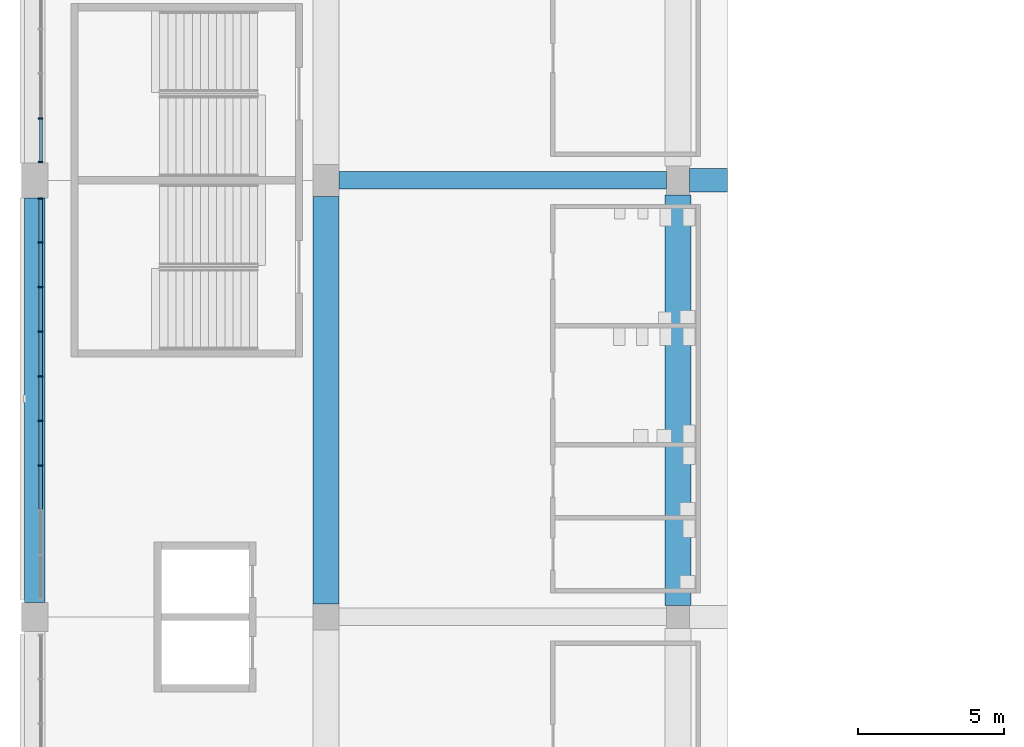
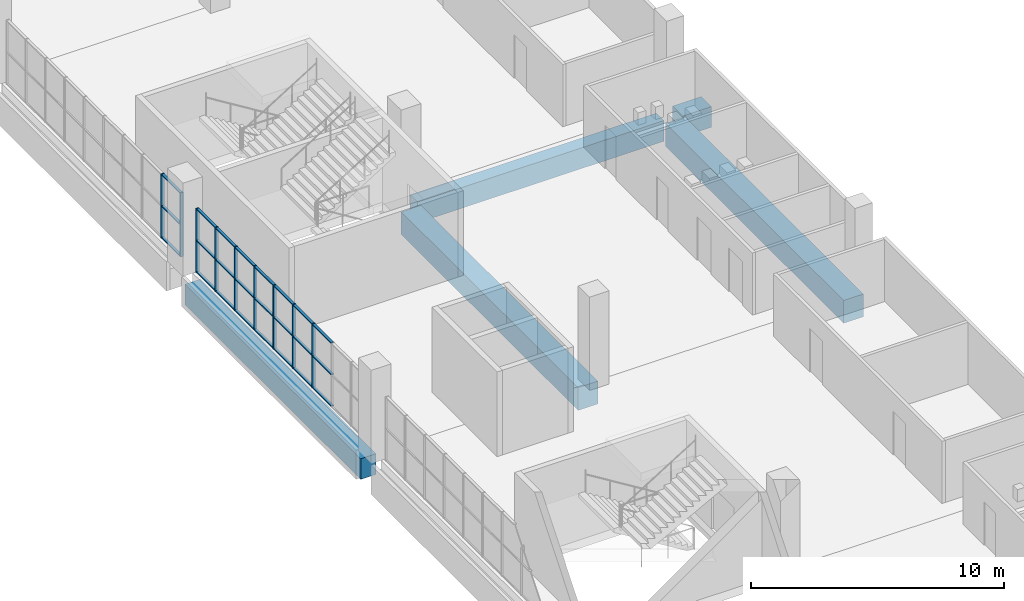
# One storey, part 20 of 199: 33 members, 5 beams, 2 elements without a shape of their own.
"""IFC4 building model written with IfcOpenShell, lengths in metres."""

from ifc_helpers import new_model, si_unit, direction, frame, origin, origin_2d, place, context, subcontext, project, spatial, rectangle, extrude, material, material_profile, profile_set, type_object, element, aggregate, save


model = new_model("IFC4")

# Units and contexts
model_context = context("Model", 3, precision=1e-05, world=origin(), true_north=direction((0.0, 1.0)))
body_context = subcontext(model_context, "Body", "Model", "MODEL_VIEW")
ifc_project = project(units=[si_unit("LENGTHUNIT", "METRE"), si_unit("AREAUNIT", "SQUARE_METRE"), si_unit("VOLUMEUNIT", "CUBIC_METRE"), si_unit("PLANEANGLEUNIT", "RADIAN"), si_unit("MASSUNIT", "GRAM", prefix="KILO")], contexts=[model_context])

# Site, building, storey
site_placement = place(None, origin())
site = spatial("IfcSite", under=ifc_project, at=site_placement, CompositionType="ELEMENT")
building_placement = place(site_placement, origin())
building = spatial("IfcBuilding", under=site, at=building_placement, Name="Ogive Plaza Stadium", CompositionType="ELEMENT")
storey_placement = place(building_placement, frame((0.0, 0.0, 4.5)))
storey = spatial("IfcBuildingStorey", under=building, at=storey_placement, Name="L01", CompositionType="ELEMENT", Elevation=4.5)

# Curtain wall, members
ifc_material_1 = material(Name="Bronze-anodised aluminium with laminated glass", Category="aluminium")
curtain_wall_type = type_object("IfcCurtainWallType", Name="Lancet curtain wall", PredefinedType="NOTDEFINED", material=ifc_material_1)
curtain_wall_1_placement = place(storey_placement, origin())
curtain_wall_1 = element("IfcCurtainWall", 1, at=curtain_wall_1_placement, inside=storey, type_object=curtain_wall_type, Name="CURTAIN WALL B25 L01", PredefinedType="NOTDEFINED")
ifc_material_2 = material(Name="Bronze-anodised aluminium", Category="aluminium")
ifc_material_profile_1 = material_profile(ifc_material_2, rectangle(XDim=0.14990234375, YDim=0.050048828125, at=origin_2d()), Name="AL 150x50")
ifc_profile_set_1 = profile_set([ifc_material_profile_1], Name="Bronze-anodised aluminium")
member_type_1 = type_object("IfcMemberType", Name="Curtain wall mullion 50x150", PredefinedType="MULLION", material=ifc_profile_set_1)
member_1_placement = place(storey_placement, frame((-83.800048828125, 12.699951171875, 0.0), z_axis=(0.0, 0.0, 1.0), x_axis=(-1.0, 0.0, 0.0)))
member_1 = element("IfcMember", 2, at=member_1_placement, type_object=member_type_1, Name="CW-B25-L01 mullion 4", PredefinedType="MULLION", context=body_context, shape_type="SweptSolid", body=[
    extrude(rectangle(XDim=0.14990234375, YDim=0.050048828125, at=origin_2d()), origin(), (0.0, 0.0, 1.0), 3.090087890625),
])
member_2_placement = place(storey_placement, frame((-83.800048828125, 14.2333984375, 0.0), z_axis=(0.0, 0.0, 1.0), x_axis=(-1.0, 0.0, 0.0)))
member_2 = element("IfcMember", 3, at=member_2_placement, type_object=member_type_1, Name="CW-B25-L01 mullion 5", PredefinedType="MULLION", context=body_context, shape_type="SweptSolid", body=[
    extrude(rectangle(XDim=0.14990234375, YDim=0.050048828125, at=origin_2d()), origin(), (0.0, 0.0, 1.0), 3.090087890625),
])
member_3_placement = place(storey_placement, frame((-83.800048828125, 15.7666015625, 0.0), z_axis=(0.0, 0.0, 1.0), x_axis=(-1.0, 0.0, 0.0)))
member_3 = element("IfcMember", 4, at=member_3_placement, type_object=member_type_1, Name="CW-B25-L01 mullion 6", PredefinedType="MULLION", context=body_context, shape_type="SweptSolid", body=[
    extrude(rectangle(XDim=0.14990234375, YDim=0.050048828125, at=origin_2d()), origin(), (0.0, 0.0, 1.0), 3.090087890625),
])
member_4_placement = place(storey_placement, frame((-83.800048828125, 17.300048828125, 0.0), z_axis=(0.0, 0.0, 1.0), x_axis=(-1.0, 0.0, 0.0)))
member_4 = element("IfcMember", 5, at=member_4_placement, type_object=member_type_1, Name="CW-B25-L01 mullion 7", PredefinedType="MULLION", context=body_context, shape_type="SweptSolid", body=[
    extrude(rectangle(XDim=0.14990234375, YDim=0.050048828125, at=origin_2d()), origin(), (0.0, 0.0, 1.0), 3.090087890625),
])
member_5_placement = place(storey_placement, frame((-83.800048828125, 18.833251953125, 0.0), z_axis=(0.0, 0.0, 1.0), x_axis=(-1.0, 0.0, 0.0)))
member_5 = element("IfcMember", 6, at=member_5_placement, type_object=member_type_1, Name="CW-B25-L01 mullion 8", PredefinedType="MULLION", context=body_context, shape_type="SweptSolid", body=[
    extrude(rectangle(XDim=0.14990234375, YDim=0.050048828125, at=origin_2d()), origin(), (0.0, 0.0, 1.0), 3.090087890625),
])
member_6_placement = place(storey_placement, frame((-83.800048828125, 20.36669921875, 0.0), z_axis=(0.0, 0.0, 1.0), x_axis=(-1.0, 0.0, 0.0)))
member_6 = element("IfcMember", 7, at=member_6_placement, type_object=member_type_1, Name="CW-B25-L01 mullion 9", PredefinedType="MULLION", context=body_context, shape_type="SweptSolid", body=[
    extrude(rectangle(XDim=0.14990234375, YDim=0.050048828125, at=origin_2d()), origin(), (0.0, 0.0, 1.0), 3.090087890625),
])
member_7_placement = place(storey_placement, frame((-83.800048828125, 21.875, 0.0), z_axis=(0.0, 0.0, 1.0), x_axis=(-1.0, 0.0, 0.0)))
member_7 = element("IfcMember", 8, at=member_7_placement, type_object=member_type_1, Name="CW-B25-L01 mullion 10", PredefinedType="MULLION", context=body_context, shape_type="SweptSolid", body=[
    extrude(rectangle(XDim=0.14990234375, YDim=0.050048828125, at=origin_2d()), origin(), (0.0, 0.0, 1.0), 3.090087890625),
])

curtain_wall_2_placement = place(storey_placement, origin())
curtain_wall_2 = element("IfcCurtainWall", 9, at=curtain_wall_2_placement, inside=storey, type_object=curtain_wall_type, Name="CURTAIN WALL B26 L01", PredefinedType="NOTDEFINED")
member_8_placement = place(storey_placement, frame((-83.800048828125, 23.125, 0.0), z_axis=(0.0, 0.0, 1.0), x_axis=(-1.0, 0.0, 0.0)))
member_8 = element("IfcMember", 10, at=member_8_placement, type_object=member_type_1, Name="CW-B26-L01 mullion 1", PredefinedType="MULLION", context=body_context, shape_type="SweptSolid", body=[
    extrude(rectangle(XDim=0.14990234375, YDim=0.050048828125, at=origin_2d()), origin(), (0.0, 0.0, 1.0), 3.090087890625),
])
member_9_placement = place(storey_placement, frame((-83.800048828125, 24.63330078125, 0.0), z_axis=(0.0, 0.0, 1.0), x_axis=(-1.0, 0.0, 0.0)))
member_9 = element("IfcMember", 11, at=member_9_placement, type_object=member_type_1, Name="CW-B26-L01 mullion 2", PredefinedType="MULLION", context=body_context, shape_type="SweptSolid", body=[
    extrude(rectangle(XDim=0.14990234375, YDim=0.050048828125, at=origin_2d()), origin(), (0.0, 0.0, 1.0), 3.090087890625),
])

# Member
ifc_material_3 = material(Name="Bronze-anodised aluminium", Category="aluminium")
ifc_material_profile_2 = material_profile(ifc_material_3, rectangle(XDim=0.1201171875, YDim=0.050048828125, at=origin_2d()), Name="AL 120x50")
ifc_profile_set_2 = profile_set([ifc_material_profile_2], Name="Bronze-anodised aluminium")
member_type_2 = type_object("IfcMemberType", Name="Curtain wall transom 50x120", PredefinedType="USERDEFINED", material=ifc_profile_set_2)
member_10_placement = place(storey_placement, frame((-83.800048828125, 11.191650390625, 0.02490234375), z_axis=(0.0, 1.0, 0.0), x_axis=(-1.0, 0.0, 0.0)))
member_10 = element("IfcMember", 12, at=member_10_placement, type_object=member_type_2, Name="CW-B25-L01 transom 3.1", ObjectType="TRANSOM", PredefinedType="USERDEFINED", context=body_context, shape_type="SweptSolid", body=[
    extrude(rectangle(XDim=0.1201171875, YDim=0.050048828125, at=origin_2d()), origin(), (0.0, 0.0, 1.0), 1.4833984375),
])

member_11_placement = place(storey_placement, frame((-83.800048828125, 11.191650390625, 1.544921875), z_axis=(0.0, 1.0, 0.0), x_axis=(-1.0, 0.0, 0.0)))
member_11 = element("IfcMember", 13, at=member_11_placement, type_object=member_type_2, Name="CW-B25-L01 transom 3.2", ObjectType="TRANSOM", PredefinedType="USERDEFINED", context=body_context, shape_type="SweptSolid", body=[
    extrude(rectangle(XDim=0.1201171875, YDim=0.050048828125, at=origin_2d()), origin(), (0.0, 0.0, 1.0), 1.4833984375),
])

member_12_placement = place(storey_placement, frame((-83.800048828125, 11.191650390625, 3.06494140625), z_axis=(0.0, 1.0, 0.0), x_axis=(-1.0, 0.0, 0.0)))
member_12 = element("IfcMember", 14, at=member_12_placement, type_object=member_type_2, Name="CW-B25-L01 transom 3.3", ObjectType="TRANSOM", PredefinedType="USERDEFINED", context=body_context, shape_type="SweptSolid", body=[
    extrude(rectangle(XDim=0.1201171875, YDim=0.050048828125, at=origin_2d()), origin(), (0.0, 0.0, 1.0), 1.4833984375),
])

member_13_placement = place(storey_placement, frame((-83.800048828125, 12.72509765625, 0.02490234375), z_axis=(0.0, 1.0, 0.0), x_axis=(-1.0, 0.0, 0.0)))
member_13 = element("IfcMember", 15, at=member_13_placement, type_object=member_type_2, Name="CW-B25-L01 transom 4.1", ObjectType="TRANSOM", PredefinedType="USERDEFINED", context=body_context, shape_type="SweptSolid", body=[
    extrude(rectangle(XDim=0.1201171875, YDim=0.050048828125, at=origin_2d()), origin(), (0.0, 0.0, 1.0), 1.483154296875),
])

member_14_placement = place(storey_placement, frame((-83.800048828125, 12.72509765625, 1.544921875), z_axis=(0.0, 1.0, 0.0), x_axis=(-1.0, 0.0, 0.0)))
member_14 = element("IfcMember", 16, at=member_14_placement, type_object=member_type_2, Name="CW-B25-L01 transom 4.2", ObjectType="TRANSOM", PredefinedType="USERDEFINED", context=body_context, shape_type="SweptSolid", body=[
    extrude(rectangle(XDim=0.1201171875, YDim=0.050048828125, at=origin_2d()), origin(), (0.0, 0.0, 1.0), 1.483154296875),
])

member_15_placement = place(storey_placement, frame((-83.800048828125, 12.72509765625, 3.06494140625), z_axis=(0.0, 1.0, 0.0), x_axis=(-1.0, 0.0, 0.0)))
member_15 = element("IfcMember", 17, at=member_15_placement, type_object=member_type_2, Name="CW-B25-L01 transom 4.3", ObjectType="TRANSOM", PredefinedType="USERDEFINED", context=body_context, shape_type="SweptSolid", body=[
    extrude(rectangle(XDim=0.1201171875, YDim=0.050048828125, at=origin_2d()), origin(), (0.0, 0.0, 1.0), 1.483154296875),
])

member_16_placement = place(storey_placement, frame((-83.800048828125, 14.25830078125, 0.02490234375), z_axis=(0.0, 1.0, 0.0), x_axis=(-1.0, 0.0, 0.0)))
member_16 = element("IfcMember", 18, at=member_16_placement, type_object=member_type_2, Name="CW-B25-L01 transom 5.1", ObjectType="TRANSOM", PredefinedType="USERDEFINED", context=body_context, shape_type="SweptSolid", body=[
    extrude(rectangle(XDim=0.1201171875, YDim=0.050048828125, at=origin_2d()), origin(), (0.0, 0.0, 1.0), 1.4833984375),
])

member_17_placement = place(storey_placement, frame((-83.800048828125, 14.25830078125, 1.544921875), z_axis=(0.0, 1.0, 0.0), x_axis=(-1.0, 0.0, 0.0)))
member_17 = element("IfcMember", 19, at=member_17_placement, type_object=member_type_2, Name="CW-B25-L01 transom 5.2", ObjectType="TRANSOM", PredefinedType="USERDEFINED", context=body_context, shape_type="SweptSolid", body=[
    extrude(rectangle(XDim=0.1201171875, YDim=0.050048828125, at=origin_2d()), origin(), (0.0, 0.0, 1.0), 1.4833984375),
])

member_18_placement = place(storey_placement, frame((-83.800048828125, 14.25830078125, 3.06494140625), z_axis=(0.0, 1.0, 0.0), x_axis=(-1.0, 0.0, 0.0)))
member_18 = element("IfcMember", 20, at=member_18_placement, type_object=member_type_2, Name="CW-B25-L01 transom 5.3", ObjectType="TRANSOM", PredefinedType="USERDEFINED", context=body_context, shape_type="SweptSolid", body=[
    extrude(rectangle(XDim=0.1201171875, YDim=0.050048828125, at=origin_2d()), origin(), (0.0, 0.0, 1.0), 1.4833984375),
])

member_19_placement = place(storey_placement, frame((-83.800048828125, 15.791748046875, 0.02490234375), z_axis=(0.0, 1.0, 0.0), x_axis=(-1.0, 0.0, 0.0)))
member_19 = element("IfcMember", 21, at=member_19_placement, type_object=member_type_2, Name="CW-B25-L01 transom 6.1", ObjectType="TRANSOM", PredefinedType="USERDEFINED", context=body_context, shape_type="SweptSolid", body=[
    extrude(rectangle(XDim=0.1201171875, YDim=0.050048828125, at=origin_2d()), origin(), (0.0, 0.0, 1.0), 1.483154296875),
])

member_20_placement = place(storey_placement, frame((-83.800048828125, 15.791748046875, 1.544921875), z_axis=(0.0, 1.0, 0.0), x_axis=(-1.0, 0.0, 0.0)))
member_20 = element("IfcMember", 22, at=member_20_placement, type_object=member_type_2, Name="CW-B25-L01 transom 6.2", ObjectType="TRANSOM", PredefinedType="USERDEFINED", context=body_context, shape_type="SweptSolid", body=[
    extrude(rectangle(XDim=0.1201171875, YDim=0.050048828125, at=origin_2d()), origin(), (0.0, 0.0, 1.0), 1.483154296875),
])

member_21_placement = place(storey_placement, frame((-83.800048828125, 15.791748046875, 3.06494140625), z_axis=(0.0, 1.0, 0.0), x_axis=(-1.0, 0.0, 0.0)))
member_21 = element("IfcMember", 23, at=member_21_placement, type_object=member_type_2, Name="CW-B25-L01 transom 6.3", ObjectType="TRANSOM", PredefinedType="USERDEFINED", context=body_context, shape_type="SweptSolid", body=[
    extrude(rectangle(XDim=0.1201171875, YDim=0.050048828125, at=origin_2d()), origin(), (0.0, 0.0, 1.0), 1.483154296875),
])

member_22_placement = place(storey_placement, frame((-83.800048828125, 17.324951171875, 0.02490234375), z_axis=(0.0, 1.0, 0.0), x_axis=(-1.0, 0.0, 0.0)))
member_22 = element("IfcMember", 24, at=member_22_placement, type_object=member_type_2, Name="CW-B25-L01 transom 7.1", ObjectType="TRANSOM", PredefinedType="USERDEFINED", context=body_context, shape_type="SweptSolid", body=[
    extrude(rectangle(XDim=0.1201171875, YDim=0.050048828125, at=origin_2d()), origin(), (0.0, 0.0, 1.0), 1.4833984375),
])

member_23_placement = place(storey_placement, frame((-83.800048828125, 17.324951171875, 1.544921875), z_axis=(0.0, 1.0, 0.0), x_axis=(-1.0, 0.0, 0.0)))
member_23 = element("IfcMember", 25, at=member_23_placement, type_object=member_type_2, Name="CW-B25-L01 transom 7.2", ObjectType="TRANSOM", PredefinedType="USERDEFINED", context=body_context, shape_type="SweptSolid", body=[
    extrude(rectangle(XDim=0.1201171875, YDim=0.050048828125, at=origin_2d()), origin(), (0.0, 0.0, 1.0), 1.4833984375),
])

member_24_placement = place(storey_placement, frame((-83.800048828125, 17.324951171875, 3.06494140625), z_axis=(0.0, 1.0, 0.0), x_axis=(-1.0, 0.0, 0.0)))
member_24 = element("IfcMember", 26, at=member_24_placement, type_object=member_type_2, Name="CW-B25-L01 transom 7.3", ObjectType="TRANSOM", PredefinedType="USERDEFINED", context=body_context, shape_type="SweptSolid", body=[
    extrude(rectangle(XDim=0.1201171875, YDim=0.050048828125, at=origin_2d()), origin(), (0.0, 0.0, 1.0), 1.4833984375),
])

member_25_placement = place(storey_placement, frame((-83.800048828125, 18.8583984375, 0.02490234375), z_axis=(0.0, 1.0, 0.0), x_axis=(-1.0, 0.0, 0.0)))
member_25 = element("IfcMember", 27, at=member_25_placement, type_object=member_type_2, Name="CW-B25-L01 transom 8.1", ObjectType="TRANSOM", PredefinedType="USERDEFINED", context=body_context, shape_type="SweptSolid", body=[
    extrude(rectangle(XDim=0.1201171875, YDim=0.050048828125, at=origin_2d()), origin(), (0.0, 0.0, 1.0), 1.483154296875),
])

member_26_placement = place(storey_placement, frame((-83.800048828125, 18.8583984375, 1.544921875), z_axis=(0.0, 1.0, 0.0), x_axis=(-1.0, 0.0, 0.0)))
member_26 = element("IfcMember", 28, at=member_26_placement, type_object=member_type_2, Name="CW-B25-L01 transom 8.2", ObjectType="TRANSOM", PredefinedType="USERDEFINED", context=body_context, shape_type="SweptSolid", body=[
    extrude(rectangle(XDim=0.1201171875, YDim=0.050048828125, at=origin_2d()), origin(), (0.0, 0.0, 1.0), 1.483154296875),
])

member_27_placement = place(storey_placement, frame((-83.800048828125, 18.8583984375, 3.06494140625), z_axis=(0.0, 1.0, 0.0), x_axis=(-1.0, 0.0, 0.0)))
member_27 = element("IfcMember", 29, at=member_27_placement, type_object=member_type_2, Name="CW-B25-L01 transom 8.3", ObjectType="TRANSOM", PredefinedType="USERDEFINED", context=body_context, shape_type="SweptSolid", body=[
    extrude(rectangle(XDim=0.1201171875, YDim=0.050048828125, at=origin_2d()), origin(), (0.0, 0.0, 1.0), 1.483154296875),
])

member_28_placement = place(storey_placement, frame((-83.800048828125, 20.3916015625, 0.02490234375), z_axis=(0.0, 1.0, 0.0), x_axis=(-1.0, 0.0, 0.0)))
member_28 = element("IfcMember", 30, at=member_28_placement, type_object=member_type_2, Name="CW-B25-L01 transom 9.1", ObjectType="TRANSOM", PredefinedType="USERDEFINED", context=body_context, shape_type="SweptSolid", body=[
    extrude(rectangle(XDim=0.1201171875, YDim=0.050048828125, at=origin_2d()), origin(), (0.0, 0.0, 1.0), 1.45849609375),
])

member_29_placement = place(storey_placement, frame((-83.800048828125, 20.3916015625, 1.544921875), z_axis=(0.0, 1.0, 0.0), x_axis=(-1.0, 0.0, 0.0)))
member_29 = element("IfcMember", 31, at=member_29_placement, type_object=member_type_2, Name="CW-B25-L01 transom 9.2", ObjectType="TRANSOM", PredefinedType="USERDEFINED", context=body_context, shape_type="SweptSolid", body=[
    extrude(rectangle(XDim=0.1201171875, YDim=0.050048828125, at=origin_2d()), origin(), (0.0, 0.0, 1.0), 1.45849609375),
])

member_30_placement = place(storey_placement, frame((-83.800048828125, 20.3916015625, 3.06494140625), z_axis=(0.0, 1.0, 0.0), x_axis=(-1.0, 0.0, 0.0)))
member_30 = element("IfcMember", 32, at=member_30_placement, type_object=member_type_2, Name="CW-B25-L01 transom 9.3", ObjectType="TRANSOM", PredefinedType="USERDEFINED", context=body_context, shape_type="SweptSolid", body=[
    extrude(rectangle(XDim=0.1201171875, YDim=0.050048828125, at=origin_2d()), origin(), (0.0, 0.0, 1.0), 1.45849609375),
])

aggregate(curtain_wall_1, [member_1, member_2, member_3, member_4, member_5, member_6, member_7, member_10, member_11, member_12, member_13, member_14, member_15, member_16, member_17, member_18, member_19, member_20, member_21, member_22, member_23, member_24, member_25, member_26, member_27, member_28, member_29, member_30])

member_31_placement = place(storey_placement, frame((-83.800048828125, 23.14990234375, 0.02490234375), z_axis=(0.0, 1.0, 0.0), x_axis=(-1.0, 0.0, 0.0)))
member_31 = element("IfcMember", 33, at=member_31_placement, type_object=member_type_2, Name="CW-B26-L01 transom 1.1", ObjectType="TRANSOM", PredefinedType="USERDEFINED", context=body_context, shape_type="SweptSolid", body=[
    extrude(rectangle(XDim=0.1201171875, YDim=0.050048828125, at=origin_2d()), origin(), (0.0, 0.0, 1.0), 1.45849609375),
])

member_32_placement = place(storey_placement, frame((-83.800048828125, 23.14990234375, 1.544921875), z_axis=(0.0, 1.0, 0.0), x_axis=(-1.0, 0.0, 0.0)))
member_32 = element("IfcMember", 34, at=member_32_placement, type_object=member_type_2, Name="CW-B26-L01 transom 1.2", ObjectType="TRANSOM", PredefinedType="USERDEFINED", context=body_context, shape_type="SweptSolid", body=[
    extrude(rectangle(XDim=0.1201171875, YDim=0.050048828125, at=origin_2d()), origin(), (0.0, 0.0, 1.0), 1.45849609375),
])

member_33_placement = place(storey_placement, frame((-83.800048828125, 23.14990234375, 3.06494140625), z_axis=(0.0, 1.0, 0.0), x_axis=(-1.0, 0.0, 0.0)))
member_33 = element("IfcMember", 35, at=member_33_placement, type_object=member_type_2, Name="CW-B26-L01 transom 1.3", ObjectType="TRANSOM", PredefinedType="USERDEFINED", context=body_context, shape_type="SweptSolid", body=[
    extrude(rectangle(XDim=0.1201171875, YDim=0.050048828125, at=origin_2d()), origin(), (0.0, 0.0, 1.0), 1.45849609375),
])

aggregate(curtain_wall_2, [member_8, member_9, member_31, member_32, member_33])

# Beams
ifc_material_4 = material(Name="Concrete C40/50", Category="concrete")
ifc_material_profile_3 = material_profile(ifc_material_4, rectangle(XDim=0.60009765625, YDim=1.0, at=origin_2d()), Name="RC 600x1000")
ifc_profile_set_3 = profile_set([ifc_material_profile_3], Name="Concrete C40/50")
beam_type_1 = type_object("IfcBeamType", Name="RC radial beam 600x1000", PredefinedType="BEAM", material=ifc_profile_set_3)
beam_1_placement = place(storey_placement, frame((-62.300048828125, 22.5, -0.909912109375), z_axis=(-1.0, 0.0, 0.0), x_axis=(0.0, -1.0, 0.0)))
element("IfcBeam", 36, at=beam_1_placement, inside=storey, type_object=beam_type_1, Name="Radial beam L01 R26 F3F4", PredefinedType="BEAM", context=body_context, shape_type="SweptSolid", body=[
    extrude(rectangle(XDim=0.60009765625, YDim=1.0, at=origin_2d()), origin(), (0.0, 0.0, 1.0), 11.25),
])
ifc_material_5 = material(Name="Concrete C40/50", Category="concrete")
ifc_material_profile_4 = material_profile(ifc_material_5, rectangle(XDim=0.800048828125, YDim=1.0, at=origin_2d()), Name="RC 800x1000")
ifc_profile_set_4 = profile_set([ifc_material_profile_4], Name="Concrete C40/50")
beam_type_2 = type_object("IfcBeamType", Name="RC radial beam 800x1000", PredefinedType="BEAM", material=ifc_profile_set_4)
beam_2_placement = place(storey_placement, frame((-60.199951171875, 22.5, -0.909912109375), z_axis=(-1.0, 0.0, 0.0), x_axis=(0.0, -1.0, 0.0)))
element("IfcBeam", 37, at=beam_2_placement, inside=storey, type_object=beam_type_2, Name="Raker tail beam LT R26", PredefinedType="BEAM", context=body_context, shape_type="SweptSolid", body=[
    extrude(rectangle(XDim=0.800048828125, YDim=1.0, at=origin_2d()), origin(), (0.0, 0.0, 1.0), 1.300048828125),
])
ifc_material_6 = material(Name="Concrete C40/50", Category="concrete")
ifc_material_profile_5 = material_profile(ifc_material_6, rectangle(XDim=0.89990234375, YDim=1.10009765625, at=origin_2d()), Name="RC 900x1100")
ifc_profile_set_5 = profile_set([ifc_material_profile_5], Name="Concrete C40/50")
beam_type_3 = type_object("IfcBeamType", Name="RC ring beam 900x1100", PredefinedType="BEAM", material=ifc_profile_set_5)
beam_3_placement = place(storey_placement, frame((-74.0, 7.949951171875, -0.9599609375), z_axis=(0.0, 1.0, 0.0), x_axis=(-1.0, 0.0, 0.0)))
element("IfcBeam", 38, at=beam_3_placement, inside=storey, type_object=beam_type_3, Name="Ring beam F4 L01 B25", PredefinedType="BEAM", context=body_context, shape_type="SweptSolid", body=[
    extrude(rectangle(XDim=0.89990234375, YDim=1.10009765625, at=origin_2d()), origin(), (0.0, 0.0, 1.0), 14.0),
])
beam_4_placement = place(storey_placement, frame((-61.89990234375, 7.89990234375, -0.9599609375), z_axis=(0.0, 1.0, 0.0), x_axis=(-1.0, 0.0, 0.0)))
element("IfcBeam", 39, at=beam_4_placement, inside=storey, type_object=beam_type_3, Name="Ring beam F3 L01 B25", PredefinedType="BEAM", context=body_context, shape_type="SweptSolid", body=[
    extrude(rectangle(XDim=0.89990234375, YDim=1.10009765625, at=origin_2d()), origin(), (0.0, 0.0, 1.0), 14.10009765625),
])
ifc_material_7 = material(Name="Concrete C40/50", Category="concrete")
ifc_material_profile_6 = material_profile(ifc_material_7, rectangle(XDim=0.699951171875, YDim=1.0, at=origin_2d()), Name="RC 700x1000")
ifc_profile_set_6 = profile_set([ifc_material_profile_6], Name="Concrete C40/50")
beam_type_4 = type_object("IfcBeamType", Name="RC spandrel beam 700x1000", PredefinedType="SPANDREL", material=ifc_profile_set_6)
beam_5_placement = place(storey_placement, frame((-84.0, 8.0, -0.909912109375), z_axis=(0.0, 1.0, 0.0), x_axis=(-1.0, 0.0, 0.0)))
element("IfcBeam", 40, at=beam_5_placement, inside=storey, type_object=beam_type_4, Name="Ring beam F5 L01 B25", PredefinedType="SPANDREL", context=body_context, shape_type="SweptSolid", body=[
    extrude(rectangle(XDim=0.699951171875, YDim=1.0, at=origin_2d()), origin(), (0.0, 0.0, 1.0), 13.89990234375),
])

save(model, "model.ifc")
